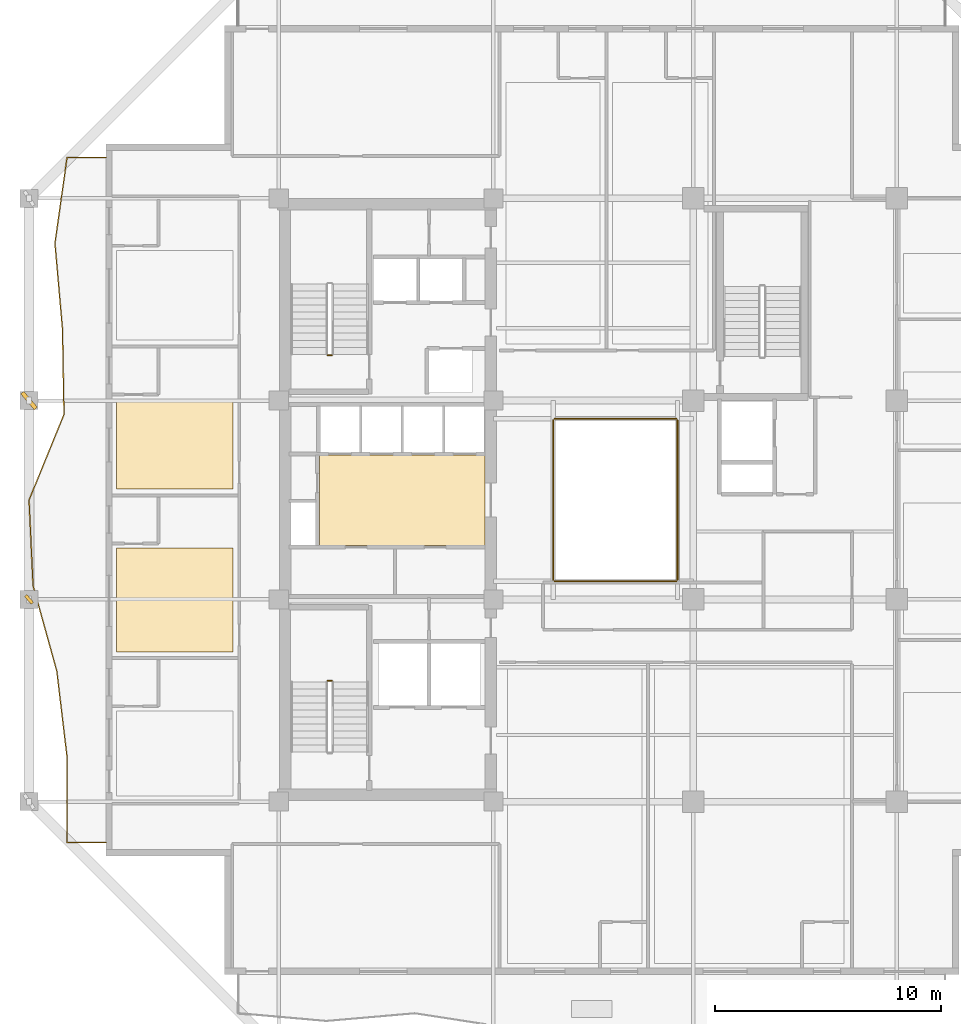
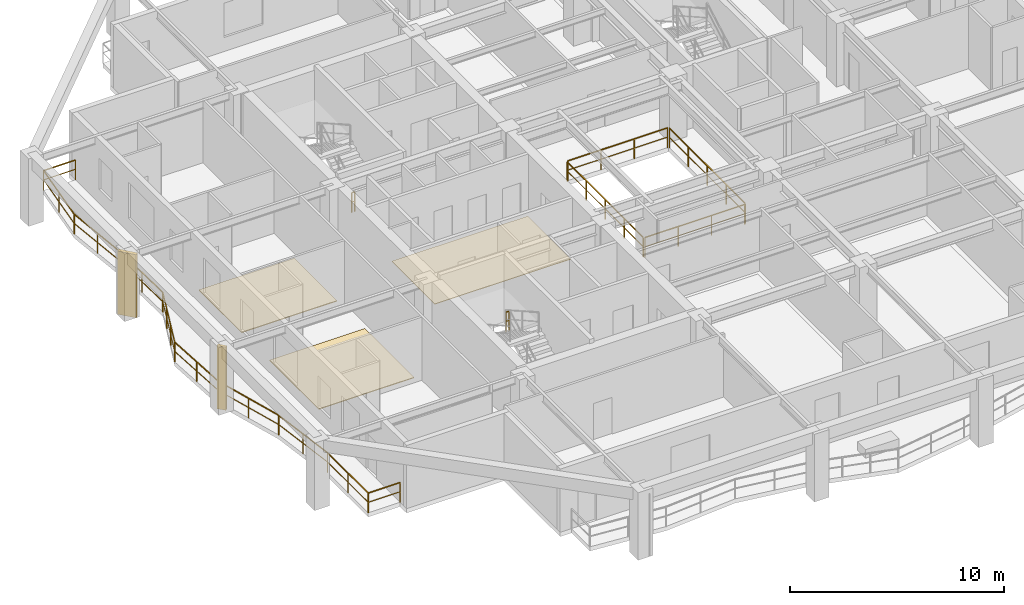
# One storey, part 9 of 13: 7 railings, 3 coverings, 2 shading devices.
"""IFC4 building model written with IfcOpenShell, lengths in metres."""

from ifc_helpers import new_model, si_unit, direction, frame, origin, origin_2d, place, context, subcontext, project, spatial, polyline, rectangle, outline, extrude, material, layer, layer_set, type_object, element, save


model = new_model("IFC4")

# Units and contexts
model_context = context("Model", 3, precision=1e-05, world=origin(), true_north=direction((0.0, 1.0)))
body_context = subcontext(model_context, "Body", "Model", "MODEL_VIEW")
ifc_project = project(units=[si_unit("LENGTHUNIT", "METRE"), si_unit("AREAUNIT", "SQUARE_METRE"), si_unit("VOLUMEUNIT", "CUBIC_METRE"), si_unit("PLANEANGLEUNIT", "RADIAN"), si_unit("MASSUNIT", "GRAM", prefix="KILO")], contexts=[model_context])

# Site, building, storey
site_placement = place(None, origin())
site = spatial("IfcSite", under=ifc_project, at=site_placement, CompositionType="ELEMENT")
building_placement = place(site_placement, origin())
building = spatial("IfcBuilding", under=site, at=building_placement, Name="Kundavana Baori Tower", CompositionType="ELEMENT")
storey_placement = place(building_placement, frame((0.0, 0.0, 165.60009765625)))
storey = spatial("IfcBuildingStorey", under=building, at=storey_placement, Name="L40", CompositionType="ELEMENT", Elevation=165.60009765625)

# Coverings
ifc_material_1 = material(Name="Honed Kota Stone and Terrazzo Flooring", Category="masonry")
ifc_layer_1 = layer(ifc_material_1, 0.0400390625, Name="COV-FLR-TERR-40")
ifc_layer_set_1 = layer_set([ifc_layer_1], Name="Honed Kota Stone and Terrazzo Flooring")
covering_type_1 = type_object("IfcCoveringType", Name="COV-FLR-TERR-40", PredefinedType="FLOORING", material=ifc_layer_set_1)
covering_1_placement = place(storey_placement, origin())
element("IfcCovering", 1, at=covering_1_placement, inside=storey, type_object=covering_type_1, Name="L40 Room Finished Stone Flooring 2", PredefinedType="FLOORING", context=body_context, shape_type="SweptSolid", body=[
    extrude(outline(polyline([(8.280029296875, 21.8798828125), (13.419921875, 21.8798828125), (13.419921875, 26.469970703125), (8.280029296875, 26.469970703125), (8.280029296875, 21.8798828125)])), origin(), (0.0, 0.0, 1.0), 0.039794921875),
])
covering_2_placement = place(storey_placement, origin())
element("IfcCovering", 2, at=covering_2_placement, inside=storey, type_object=covering_type_1, Name="L40 Room Finished Stone Flooring 3", PredefinedType="FLOORING", context=body_context, shape_type="SweptSolid", body=[
    extrude(outline(polyline([(8.280029296875, 29.080078125), (13.419921875, 29.080078125), (13.419921875, 33.070068359375), (8.280029296875, 33.070068359375), (8.280029296875, 29.080078125)])), origin(), (0.0, 0.0, 1.0), 0.039794921875),
])
ifc_material_2 = material(Name="Honed Kota Stone and Terrazzo Flooring", Category="masonry")
ifc_layer_2 = layer(ifc_material_2, 0.030029296875, Name="COV-INT-FLR")
ifc_layer_set_2 = layer_set([ifc_layer_2], Name="Honed Kota Stone and Terrazzo Flooring")
covering_type_2 = type_object("IfcCoveringType", Name="COV-INT-FLR", PredefinedType="FLOORING", material=ifc_layer_set_2)
covering_3_placement = place(storey_placement, origin())
element("IfcCovering", 3, at=covering_3_placement, inside=storey, type_object=covering_type_2, Name="L40 Core Lift Lobby Kota Stone Flooring", PredefinedType="FLOORING", context=body_context, shape_type="SweptSolid", body=[
    extrude(outline(polyline([(17.25, 26.580078125), (24.580078125, 26.580078125), (24.580078125, 30.60009765625), (17.25, 30.60009765625), (17.25, 26.580078125)])), origin(), (0.0, 0.0, 1.0), 0.02978515625),
])

# Railings
ifc_material_3 = material(Name="Architectural Patinated Bronze Metalwork")
railing_type_1 = type_object("IfcRailingType", Name="RL-BAL-1150", PredefinedType="BALUSTRADE", material=ifc_material_3)
railing_1_placement = place(storey_placement, frame((7.800048828125, 13.449951171875, 0.0)))
element("IfcRailing", 4, at=railing_1_placement, inside=storey, type_object=railing_type_1, Name="L40 Loggia Balcony Balustrade W", PredefinedType="BALUSTRADE", context=body_context, shape_type="SweptSolid", body=[
    extrude(rectangle(XDim=0.048095703125, YDim=0.048095703125, at=origin_2d()), frame((0.0, 0.0, 1.1259765625), z_axis=(-1.0, 0.0, 0.0), x_axis=(0.0, -1.0, 0.0)), (0.0, 0.0, 1.0), 1.719970703125),
    extrude(rectangle(XDim=0.03125, YDim=0.03125, at=origin_2d()), frame((0.0, 0.0, 0.597900390625), z_axis=(-1.0, 0.0, 0.0), x_axis=(0.0, -1.0, 0.0)), (0.0, 0.0, 1.0), 1.719970703125),
    extrude(rectangle(XDim=0.048095703125, YDim=0.048095703125, at=origin_2d()), frame((-1.719970703125, 0.0, 1.1259765625), z_axis=(-0.000580046306, 0.999999831773, 0.0), x_axis=(-0.999999831773, -0.000580046306, 0.0)), (0.0, 0.0, 1.0), 3.7880859375),
    extrude(rectangle(XDim=0.03125, YDim=0.03125, at=origin_2d()), frame((-1.719970703125, 0.0, 0.597900390625), z_axis=(-0.000580046306, 0.999999831773, 0.0), x_axis=(-0.999999831773, -0.000580046306, 0.0)), (0.0, 0.0, 1.0), 3.7880859375),
    extrude(rectangle(XDim=0.048095703125, YDim=0.048095703125, at=origin_2d()), frame((-1.72216796875, 3.7880859375, 1.1259765625), z_axis=(-0.118241445606, 0.992984874276, 0.0), x_axis=(-0.992984874276, -0.118241445606, 0.0)), (0.0, 0.0, 1.0), 3.813720703125),
    extrude(rectangle(XDim=0.03125, YDim=0.03125, at=origin_2d()), frame((-1.72216796875, 3.7880859375, 0.597900390625), z_axis=(-0.118241445606, 0.992984874276, 0.0), x_axis=(-0.992984874276, -0.118241445606, 0.0)), (0.0, 0.0, 1.0), 3.813720703125),
    extrude(rectangle(XDim=0.048095703125, YDim=0.048095703125, at=origin_2d()), frame((-2.173095703125, 7.574951171875, 1.1259765625), z_axis=(-0.267188862303, 0.963644183224, 0.0), x_axis=(-0.963644183224, -0.267188862303, 0.0)), (0.0, 0.0, 1.0), 3.929931640625),
    extrude(rectangle(XDim=0.03125, YDim=0.03125, at=origin_2d()), frame((-2.173095703125, 7.574951171875, 0.597900390625), z_axis=(-0.267188862303, 0.963644183224, 0.0), x_axis=(-0.963644183224, -0.267188862303, 0.0)), (0.0, 0.0, 1.0), 3.929931640625),
    extrude(rectangle(XDim=0.048095703125, YDim=0.048095703125, at=origin_2d()), frame((-3.22314453125, 11.362060546875, 1.1259765625), z_axis=(-0.04667503492, 0.998910126646, 0.0), x_axis=(-0.998910126646, -0.04667503492, 0.0)), (0.0, 0.0, 1.0), 3.792236328125),
    extrude(rectangle(XDim=0.03125, YDim=0.03125, at=origin_2d()), frame((-3.22314453125, 11.362060546875, 0.597900390625), z_axis=(-0.04667503492, 0.998910126646, 0.0), x_axis=(-0.998910126646, -0.04667503492, 0.0)), (0.0, 0.0, 1.0), 3.792236328125),
    extrude(rectangle(XDim=0.048095703125, YDim=0.048095703125, at=origin_2d()), frame((-3.400146484375, 15.150146484375, 1.1259765625), z_axis=(0.377710111152, 0.925923901805, 0.0), x_axis=(-0.925923901805, 0.377710111152, 0.0)), (0.0, 0.0, 1.0), 4.0908203125),
    extrude(rectangle(XDim=0.03125, YDim=0.03125, at=origin_2d()), frame((-3.400146484375, 15.150146484375, 0.597900390625), z_axis=(0.377710111152, 0.925923901805, 0.0), x_axis=(-0.925923901805, 0.377710111152, 0.0)), (0.0, 0.0, 1.0), 4.0908203125),
    extrude(rectangle(XDim=0.048095703125, YDim=0.048095703125, at=origin_2d()), frame((-1.85498046875, 18.93798828125, 1.1259765625), z_axis=(-0.017983166764, 0.999838289781, 0.0), x_axis=(-0.999838289781, -0.017983166764, 0.0)), (0.0, 0.0, 1.0), 3.787841796875),
    extrude(rectangle(XDim=0.03125, YDim=0.03125, at=origin_2d()), frame((-1.85498046875, 18.93798828125, 0.597900390625), z_axis=(-0.017983166764, 0.999838289781, 0.0), x_axis=(-0.999838289781, -0.017983166764, 0.0)), (0.0, 0.0, 1.0), 3.787841796875),
    extrude(rectangle(XDim=0.048095703125, YDim=0.048095703125, at=origin_2d()), frame((-1.923095703125, 22.72509765625, 1.1259765625), z_axis=(-0.087599540451, 0.996155771209, 0.0), x_axis=(-0.996155771209, -0.087599540451, 0.0)), (0.0, 0.0, 1.0), 3.801513671875),
    extrude(rectangle(XDim=0.03125, YDim=0.03125, at=origin_2d()), frame((-1.923095703125, 22.72509765625, 0.597900390625), z_axis=(-0.087599540451, 0.996155771209, 0.0), x_axis=(-0.996155771209, -0.087599540451, 0.0)), (0.0, 0.0, 1.0), 3.801513671875),
    extrude(rectangle(XDim=0.048095703125, YDim=0.048095703125, at=origin_2d()), frame((-2.256103515625, 26.511962890625, 1.1259765625), z_axis=(0.140134753834, 0.990132441024, 0.0), x_axis=(-0.990132441024, 0.140134753834, 0.0)), (0.0, 0.0, 1.0), 3.825927734375),
    extrude(rectangle(XDim=0.03125, YDim=0.03125, at=origin_2d()), frame((-2.256103515625, 26.511962890625, 0.597900390625), z_axis=(0.140134753834, 0.990132441024, 0.0), x_axis=(-0.990132441024, 0.140134753834, 0.0)), (0.0, 0.0, 1.0), 3.825927734375),
    extrude(rectangle(XDim=0.048095703125, YDim=0.048095703125, at=origin_2d()), frame((-1.719970703125, 30.300048828125, 1.1259765625), z_axis=(1.0, 0.0, 0.0), x_axis=(0.0, 1.0, 0.0)), (0.0, 0.0, 1.0), 1.719970703125),
    extrude(rectangle(XDim=0.03125, YDim=0.03125, at=origin_2d()), frame((-1.719970703125, 30.300048828125, 0.597900390625), z_axis=(1.0, 0.0, 0.0), x_axis=(0.0, 1.0, 0.0)), (0.0, 0.0, 1.0), 1.719970703125),
    extrude(rectangle(XDim=0.0419921875, YDim=0.0419921875, at=origin_2d()), origin(), (0.0, 0.0, 1.0), 1.101806640625),
    extrude(rectangle(XDim=0.0419921875, YDim=0.0419921875, at=origin_2d()), frame((-1.719970703125, 0.0, 0.0)), (0.0, 0.0, 1.0), 1.101806640625),
    extrude(rectangle(XDim=0.0419921875, YDim=0.0419921875, at=origin_2d()), frame((-1.72119140625, 1.89404296875, 0.0)), (0.0, 0.0, 1.0), 1.101806640625),
    extrude(rectangle(XDim=0.0419921875, YDim=0.0419921875, at=origin_2d()), frame((-1.72216796875, 3.7880859375, 0.0)), (0.0, 0.0, 1.0), 1.101806640625),
    extrude(rectangle(XDim=0.0419921875, YDim=0.0419921875, at=origin_2d()), frame((-1.94775390625, 5.681640625, 0.0)), (0.0, 0.0, 1.0), 1.101806640625),
    extrude(rectangle(XDim=0.0419921875, YDim=0.0419921875, at=origin_2d()), frame((-2.173095703125, 7.574951171875, 0.0)), (0.0, 0.0, 1.0), 1.101806640625),
    extrude(rectangle(XDim=0.0419921875, YDim=0.0419921875, at=origin_2d()), frame((-2.6982421875, 9.468505859375, 0.0)), (0.0, 0.0, 1.0), 1.101806640625),
    extrude(rectangle(XDim=0.0419921875, YDim=0.0419921875, at=origin_2d()), frame((-3.22314453125, 11.362060546875, 0.0)), (0.0, 0.0, 1.0), 1.101806640625),
    extrude(rectangle(XDim=0.0419921875, YDim=0.0419921875, at=origin_2d()), frame((-3.3115234375, 13.256103515625, 0.0)), (0.0, 0.0, 1.0), 1.101806640625),
    extrude(rectangle(XDim=0.0419921875, YDim=0.0419921875, at=origin_2d()), frame((-3.400146484375, 15.150146484375, 0.0)), (0.0, 0.0, 1.0), 1.101806640625),
    extrude(rectangle(XDim=0.0419921875, YDim=0.0419921875, at=origin_2d()), frame((-2.885009765625, 16.412841796875, 0.0)), (0.0, 0.0, 1.0), 1.101806640625),
    extrude(rectangle(XDim=0.0419921875, YDim=0.0419921875, at=origin_2d()), frame((-2.3701171875, 17.67529296875, 0.0)), (0.0, 0.0, 1.0), 1.101806640625),
    extrude(rectangle(XDim=0.0419921875, YDim=0.0419921875, at=origin_2d()), frame((-1.85498046875, 18.93798828125, 0.0)), (0.0, 0.0, 1.0), 1.101806640625),
    extrude(rectangle(XDim=0.0419921875, YDim=0.0419921875, at=origin_2d()), frame((-1.88916015625, 20.83154296875, 0.0)), (0.0, 0.0, 1.0), 1.101806640625),
    extrude(rectangle(XDim=0.0419921875, YDim=0.0419921875, at=origin_2d()), frame((-1.923095703125, 22.72509765625, 0.0)), (0.0, 0.0, 1.0), 1.101806640625),
    extrude(rectangle(XDim=0.0419921875, YDim=0.0419921875, at=origin_2d()), frame((-2.089599609375, 24.61865234375, 0.0)), (0.0, 0.0, 1.0), 1.101806640625),
    extrude(rectangle(XDim=0.0419921875, YDim=0.0419921875, at=origin_2d()), frame((-2.256103515625, 26.511962890625, 0.0)), (0.0, 0.0, 1.0), 1.101806640625),
    extrude(rectangle(XDim=0.0419921875, YDim=0.0419921875, at=origin_2d()), frame((-1.988037109375, 28.406005859375, 0.0)), (0.0, 0.0, 1.0), 1.101806640625),
    extrude(rectangle(XDim=0.0419921875, YDim=0.0419921875, at=origin_2d()), frame((-1.719970703125, 30.300048828125, 0.0)), (0.0, 0.0, 1.0), 1.101806640625),
    extrude(rectangle(XDim=0.0419921875, YDim=0.0419921875, at=origin_2d()), frame((0.0, 30.300048828125, 0.0)), (0.0, 0.0, 1.0), 1.101806640625),
])
ifc_material_4 = material(Name="Architectural Patinated Bronze Metalwork")
railing_type_2 = type_object("IfcRailingType", Name="RL-GRD-1150", PredefinedType="GUARDRAIL", material=ifc_material_4)
for number, where, name in (
    (5, (17.7900390625, 20.60009765625, 1.9248046875), "L40 ST1 stair guard 2"),
    (6, (17.7900390625, 35.0, 0.0), "L40 ST2 stair guard 4"),
):
    element("IfcRailing", number, at=place(storey_placement, frame(where)), inside=storey, type_object=railing_type_2, Name=name, PredefinedType="GUARDRAIL", context=body_context, shape_type="SweptSolid", body=[
        extrude(rectangle(XDim=0.048095703125, YDim=0.048095703125, at=origin_2d()), frame((0.0, 0.0, 1.1259765625), z_axis=(-1.0, 0.0, 0.0), x_axis=(0.0, -1.0, 0.0)), (0.0, 0.0, 1.0), 0.16015625),
        extrude(rectangle(XDim=0.03125, YDim=0.03125, at=origin_2d()), frame((0.0, 0.0, 0.597900390625), z_axis=(-1.0, 0.0, 0.0), x_axis=(0.0, -1.0, 0.0)), (0.0, 0.0, 1.0), 0.16015625),
        extrude(rectangle(XDim=0.0419921875, YDim=0.0419921875, at=origin_2d()), origin(), (0.0, 0.0, 1.0), 1.101806640625),
        extrude(rectangle(XDim=0.0419921875, YDim=0.0419921875, at=origin_2d()), frame((-0.16015625, 0.0, 0.0)), (0.0, 0.0, 1.0), 1.101806640625),
    ])
railing_2_placement = place(storey_placement, frame((27.659912109375, 25.0, 0.0)))
element("IfcRailing", 7, at=railing_2_placement, inside=storey, type_object=railing_type_2, Name="L40 Atrium Void Perimeter Guardrail S", PredefinedType="GUARDRAIL", context=body_context, shape_type="SweptSolid", body=[
    extrude(rectangle(XDim=0.048095703125, YDim=0.048095703125, at=origin_2d()), frame((0.0, 0.0, 1.1259765625), z_axis=(1.0, 0.0, 0.0), x_axis=(0.0, 1.0, 0.0)), (0.0, 0.0, 1.0), 5.380126953125),
    extrude(rectangle(XDim=0.03125, YDim=0.03125, at=origin_2d()), frame((0.0, 0.0, 0.597900390625), z_axis=(1.0, 0.0, 0.0), x_axis=(0.0, 1.0, 0.0)), (0.0, 0.0, 1.0), 5.380126953125),
    extrude(rectangle(XDim=0.0419921875, YDim=0.0419921875, at=origin_2d()), origin(), (0.0, 0.0, 1.0), 1.101806640625),
    extrude(rectangle(XDim=0.0419921875, YDim=0.0419921875, at=origin_2d()), frame((1.79345703125, 0.0, 0.0)), (0.0, 0.0, 1.0), 1.101806640625),
    extrude(rectangle(XDim=0.0419921875, YDim=0.0419921875, at=origin_2d()), frame((3.586669921875, 0.0, 0.0)), (0.0, 0.0, 1.0), 1.101806640625),
    extrude(rectangle(XDim=0.0419921875, YDim=0.0419921875, at=origin_2d()), frame((5.380126953125, 0.0, 0.0)), (0.0, 0.0, 1.0), 1.101806640625),
])
railing_3_placement = place(storey_placement, frame((33.10009765625, 25.06005859375, 0.0)))
element("IfcRailing", 8, at=railing_3_placement, inside=storey, type_object=railing_type_2, Name="L40 Atrium Void Perimeter Guardrail E", PredefinedType="GUARDRAIL", context=body_context, shape_type="SweptSolid", body=[
    extrude(rectangle(XDim=0.048095703125, YDim=0.048095703125, at=origin_2d()), frame((0.0, 0.0, 1.1259765625), z_axis=(0.0, 1.0, 0.0), x_axis=(-1.0, 0.0, 0.0)), (0.0, 0.0, 1.0), 7.079833984375),
    extrude(rectangle(XDim=0.03125, YDim=0.03125, at=origin_2d()), frame((0.0, 0.0, 0.597900390625), z_axis=(0.0, 1.0, 0.0), x_axis=(-1.0, 0.0, 0.0)), (0.0, 0.0, 1.0), 7.079833984375),
    extrude(rectangle(XDim=0.0419921875, YDim=0.0419921875, at=origin_2d()), origin(), (0.0, 0.0, 1.0), 1.101806640625),
    extrude(rectangle(XDim=0.0419921875, YDim=0.0419921875, at=origin_2d()), frame((0.0, 1.77001953125, 0.0)), (0.0, 0.0, 1.0), 1.101806640625),
    extrude(rectangle(XDim=0.0419921875, YDim=0.0419921875, at=origin_2d()), frame((0.0, 3.5400390625, 0.0)), (0.0, 0.0, 1.0), 1.101806640625),
    extrude(rectangle(XDim=0.0419921875, YDim=0.0419921875, at=origin_2d()), frame((0.0, 5.309814453125, 0.0)), (0.0, 0.0, 1.0), 1.101806640625),
    extrude(rectangle(XDim=0.0419921875, YDim=0.0419921875, at=origin_2d()), frame((0.0, 7.079833984375, 0.0)), (0.0, 0.0, 1.0), 1.101806640625),
])
railing_4_placement = place(storey_placement, frame((33.0400390625, 32.199951171875, 0.0)))
element("IfcRailing", 9, at=railing_4_placement, inside=storey, type_object=railing_type_2, Name="L40 Atrium Void Perimeter Guardrail N", PredefinedType="GUARDRAIL", context=body_context, shape_type="SweptSolid", body=[
    extrude(rectangle(XDim=0.048095703125, YDim=0.048095703125, at=origin_2d()), frame((0.0, 0.0, 1.1259765625), z_axis=(-1.0, 0.0, 0.0), x_axis=(0.0, -1.0, 0.0)), (0.0, 0.0, 1.0), 5.380126953125),
    extrude(rectangle(XDim=0.03125, YDim=0.03125, at=origin_2d()), frame((0.0, 0.0, 0.597900390625), z_axis=(-1.0, 0.0, 0.0), x_axis=(0.0, -1.0, 0.0)), (0.0, 0.0, 1.0), 5.380126953125),
    extrude(rectangle(XDim=0.0419921875, YDim=0.0419921875, at=origin_2d()), origin(), (0.0, 0.0, 1.0), 1.101806640625),
    extrude(rectangle(XDim=0.0419921875, YDim=0.0419921875, at=origin_2d()), frame((-1.79345703125, 0.0, 0.0)), (0.0, 0.0, 1.0), 1.101806640625),
    extrude(rectangle(XDim=0.0419921875, YDim=0.0419921875, at=origin_2d()), frame((-3.586669921875, 0.0, 0.0)), (0.0, 0.0, 1.0), 1.101806640625),
    extrude(rectangle(XDim=0.0419921875, YDim=0.0419921875, at=origin_2d()), frame((-5.380126953125, 0.0, 0.0)), (0.0, 0.0, 1.0), 1.101806640625),
])
railing_5_placement = place(storey_placement, frame((27.60009765625, 32.139892578125, 0.0)))
element("IfcRailing", 10, at=railing_5_placement, inside=storey, type_object=railing_type_2, Name="L40 Atrium Void Perimeter Guardrail W", PredefinedType="GUARDRAIL", context=body_context, shape_type="SweptSolid", body=[
    extrude(rectangle(XDim=0.048095703125, YDim=0.048095703125, at=origin_2d()), frame((0.0, 0.0, 1.1259765625), z_axis=(0.0, -1.0, 0.0), x_axis=(1.0, 0.0, 0.0)), (0.0, 0.0, 1.0), 7.079833984375),
    extrude(rectangle(XDim=0.03125, YDim=0.03125, at=origin_2d()), frame((0.0, 0.0, 0.597900390625), z_axis=(0.0, -1.0, 0.0), x_axis=(1.0, 0.0, 0.0)), (0.0, 0.0, 1.0), 7.079833984375),
    extrude(rectangle(XDim=0.0419921875, YDim=0.0419921875, at=origin_2d()), origin(), (0.0, 0.0, 1.0), 1.101806640625),
    extrude(rectangle(XDim=0.0419921875, YDim=0.0419921875, at=origin_2d()), frame((0.0, -1.77001953125, 0.0)), (0.0, 0.0, 1.0), 1.101806640625),
    extrude(rectangle(XDim=0.0419921875, YDim=0.0419921875, at=origin_2d()), frame((0.0, -3.5400390625, 0.0)), (0.0, 0.0, 1.0), 1.101806640625),
    extrude(rectangle(XDim=0.0419921875, YDim=0.0419921875, at=origin_2d()), frame((0.0, -5.309814453125, 0.0)), (0.0, 0.0, 1.0), 1.101806640625),
    extrude(rectangle(XDim=0.0419921875, YDim=0.0419921875, at=origin_2d()), frame((0.0, -7.079833984375, 0.0)), (0.0, 0.0, 1.0), 1.101806640625),
])

# Shading devices
ifc_material_5 = material(Name="Red-Buff Dholpur Sandstone Cladding on Concrete C40/50", Category="masonry")
shading_device_type_1 = type_object("IfcShadingDeviceType", Name="SHD-FIN-920", PredefinedType="JALOUSIE", material=ifc_material_5)
shading_device_1_placement = place(storey_placement, frame((4.39990234375, 33.0, -0.000244140625), z_axis=(0.0, 0.0, 1.0), x_axis=(0.761877557918, 0.647721071713, 0.0)))
element("IfcShadingDevice", 11, at=shading_device_1_placement, inside=storey, type_object=shading_device_type_1, Name="L40 Sweeping Dholpur Sandstone Facade Fin 7", PredefinedType="JALOUSIE", context=body_context, shape_type="SweptSolid", body=[
    extrude(rectangle(XDim=0.179931640625, YDim=0.919921875, at=origin_2d()), origin(), (0.0, 0.0, 1.0), 3.60009765625),
])
ifc_material_6 = material(Name="Architectural Patinated Bronze Metalwork")
shading_device_type_2 = type_object("IfcShadingDeviceType", Name="SHD-LOUV-450", PredefinedType="SHUTTER", material=ifc_material_6)
shading_device_2_placement = place(storey_placement, frame((4.39990234375, 24.199951171875, -0.000244140625), z_axis=(0.0, 0.0, 1.0), x_axis=(0.753219088147, 0.657769720534, 0.0)))
element("IfcShadingDevice", 12, at=shading_device_2_placement, inside=storey, type_object=shading_device_type_2, Name="L40 Sweeping Dholpur Sandstone Facade Fin 6", PredefinedType="SHUTTER", context=body_context, shape_type="SweptSolid", body=[
    extrude(rectangle(XDim=0.139892578125, YDim=0.449951171875, at=origin_2d()), origin(), (0.0, 0.0, 1.0), 3.60009765625),
])

save(model, "model.ifc")
